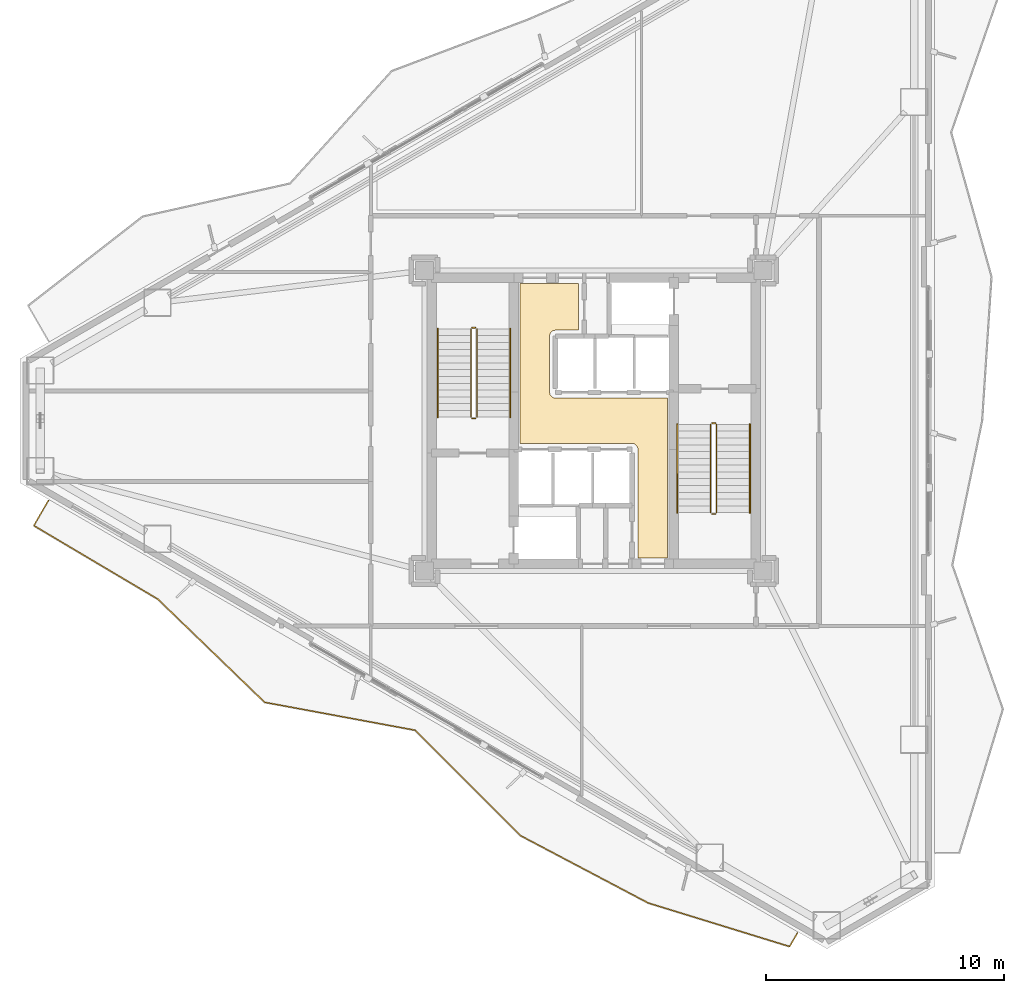
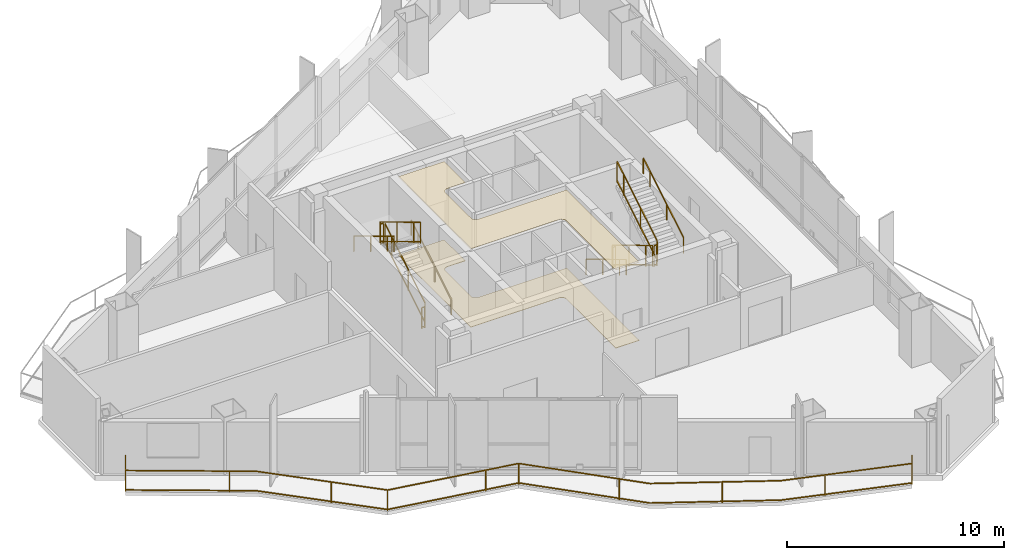
# One storey, part 19 of 20: 13 railings, 2 coverings.
"""IFC4 building model written with IfcOpenShell, lengths in metres."""

from ifc_helpers import new_model, si_unit, direction, frame, origin, origin_2d, place, context, subcontext, project, spatial, polyline, rectangle, outline, extrude, material, layer, layer_set, type_object, element, save


model = new_model("IFC4")

# Units and contexts
model_context = context("Model", 3, precision=1e-05, world=origin(), true_north=direction((0.0, 1.0)))
body_context = subcontext(model_context, "Body", "Model", "MODEL_VIEW")
ifc_project = project(units=[si_unit("LENGTHUNIT", "METRE"), si_unit("AREAUNIT", "SQUARE_METRE"), si_unit("VOLUMEUNIT", "CUBIC_METRE"), si_unit("PLANEANGLEUNIT", "RADIAN"), si_unit("MASSUNIT", "GRAM", prefix="KILO")], contexts=[model_context])

# Site, building, storey
site_placement = place(None, origin())
site = spatial("IfcSite", under=ifc_project, at=site_placement, CompositionType="ELEMENT")
building_placement = place(site_placement, origin())
building = spatial("IfcBuilding", under=site, at=building_placement, Name="Mersakhor Tower and Convention Hall", CompositionType="ELEMENT")
storey_placement = place(building_placement, frame((0.0, 0.0, 116.39990234375)))
storey = spatial("IfcBuildingStorey", under=building, at=storey_placement, Name="L32", CompositionType="ELEMENT", Elevation=116.39990234375)

# Coverings
ifc_material_1 = material(Name="Acoustic mineral-fibre suspended ceiling", Category="other")
ifc_layer_1 = layer(ifc_material_1, 0.02490234375)
ifc_layer_set_1 = layer_set([ifc_layer_1], Name="Acoustic mineral-fibre suspended ceiling")
covering_type_1 = type_object("IfcCoveringType", Name="COV-CLG-25", PredefinedType="CEILING", material=ifc_layer_set_1)
covering_1_placement = place(storey_placement, frame((0.0, 0.0, 4.400146484375)))
element("IfcCovering", 1, at=covering_1_placement, inside=storey, type_object=covering_type_1, Name="L32 Central Passenger Lift Lobby Acoustic Suspended Ceiling", PredefinedType="CEILING", context=body_context, shape_type="SweptSolid", body=[
    extrude(outline(polyline([(30.85009765625, 21.0), (30.85009765625, 25.550048828125), (30.848876953125, 25.574462890625), (30.84521484375, 25.598876953125), (30.839111328125, 25.62255859375), (30.8310546875, 25.645751953125), (30.820556640625, 25.667724609375), (30.807861328125, 25.68896484375), (30.793212890625, 25.70849609375), (30.77685546875, 25.726806640625), (30.758544921875, 25.743408203125), (30.739013671875, 25.7578125), (30.7177734375, 25.7705078125), (30.69580078125, 25.781005859375), (30.672607421875, 25.789306640625), (30.648681640625, 25.795166015625), (30.62451171875, 25.798828125), (30.60009765625, 25.800048828125), (25.89990234375, 25.800048828125), (25.89990234375, 32.5), (28.35009765625, 32.5), (28.35009765625, 30.550048828125), (27.39990234375, 30.550048828125), (27.37548828125, 30.548828125), (27.351318359375, 30.545166015625), (27.327392578125, 30.539306640625), (27.30419921875, 30.531005859375), (27.2822265625, 30.5205078125), (27.260986328125, 30.5078125), (27.241455078125, 30.493408203125), (27.22314453125, 30.476806640625), (27.206787109375, 30.45849609375), (27.192138671875, 30.43896484375), (27.179443359375, 30.417724609375), (27.1689453125, 30.395751953125), (27.160888671875, 30.37255859375), (27.15478515625, 30.348876953125), (27.151123046875, 30.324462890625), (27.14990234375, 30.300048828125), (27.14990234375, 27.949951171875), (27.151123046875, 27.925537109375), (27.15478515625, 27.901123046875), (27.160888671875, 27.87744140625), (27.1689453125, 27.854248046875), (27.179443359375, 27.832275390625), (27.192138671875, 27.81103515625), (27.206787109375, 27.79150390625), (27.22314453125, 27.773193359375), (27.241455078125, 27.756591796875), (27.260986328125, 27.7421875), (27.2822265625, 27.7294921875), (27.30419921875, 27.718994140625), (27.327392578125, 27.710693359375), (27.351318359375, 27.704833984375), (27.37548828125, 27.701171875), (27.39990234375, 27.699951171875), (32.10009765625, 27.699951171875), (32.10009765625, 21.0), (30.85009765625, 21.0)])), origin(), (0.0, 0.0, 1.0), 0.02490234375),
])
ifc_material_2 = material(Name="Polished porcelain tile flooring", Category="other")
ifc_layer_2 = layer(ifc_material_2, 0.02001953125)
ifc_layer_set_2 = layer_set([ifc_layer_2], Name="Polished porcelain tile flooring")
covering_type_2 = type_object("IfcCoveringType", Name="COV-FLR-20", PredefinedType="FLOORING", material=ifc_layer_set_2)
covering_2_placement = place(storey_placement, origin())
element("IfcCovering", 2, at=covering_2_placement, inside=storey, type_object=covering_type_2, Name="L32 Central Passenger Lift Lobby Porcelain Floor Finish", PredefinedType="FLOORING", context=body_context, shape_type="SweptSolid", body=[
    extrude(outline(polyline([(30.85009765625, 21.0), (30.85009765625, 25.550048828125), (30.848876953125, 25.574462890625), (30.84521484375, 25.598876953125), (30.839111328125, 25.62255859375), (30.8310546875, 25.645751953125), (30.820556640625, 25.667724609375), (30.807861328125, 25.68896484375), (30.793212890625, 25.70849609375), (30.77685546875, 25.726806640625), (30.758544921875, 25.743408203125), (30.739013671875, 25.7578125), (30.7177734375, 25.7705078125), (30.69580078125, 25.781005859375), (30.672607421875, 25.789306640625), (30.648681640625, 25.795166015625), (30.62451171875, 25.798828125), (30.60009765625, 25.800048828125), (25.89990234375, 25.800048828125), (25.89990234375, 32.5), (28.35009765625, 32.5), (28.35009765625, 30.550048828125), (27.39990234375, 30.550048828125), (27.37548828125, 30.548828125), (27.351318359375, 30.545166015625), (27.327392578125, 30.539306640625), (27.30419921875, 30.531005859375), (27.2822265625, 30.5205078125), (27.260986328125, 30.5078125), (27.241455078125, 30.493408203125), (27.22314453125, 30.476806640625), (27.206787109375, 30.45849609375), (27.192138671875, 30.43896484375), (27.179443359375, 30.417724609375), (27.1689453125, 30.395751953125), (27.160888671875, 30.37255859375), (27.15478515625, 30.348876953125), (27.151123046875, 30.324462890625), (27.14990234375, 30.300048828125), (27.14990234375, 27.949951171875), (27.151123046875, 27.925537109375), (27.15478515625, 27.901123046875), (27.160888671875, 27.87744140625), (27.1689453125, 27.854248046875), (27.179443359375, 27.832275390625), (27.192138671875, 27.81103515625), (27.206787109375, 27.79150390625), (27.22314453125, 27.773193359375), (27.241455078125, 27.756591796875), (27.260986328125, 27.7421875), (27.2822265625, 27.7294921875), (27.30419921875, 27.718994140625), (27.327392578125, 27.710693359375), (27.351318359375, 27.704833984375), (27.37548828125, 27.701171875), (27.39990234375, 27.699951171875), (32.10009765625, 27.699951171875), (32.10009765625, 21.0), (30.85009765625, 21.0)])), origin(), (0.0, 0.0, 1.0), 0.02001953125),
])

# Railings
ifc_material_3 = material(Name="Powder-coated galvanised steel and laminated glass balustrade", Category="steel")
railing_type_1 = type_object("IfcRailingType", Name="RL-BAL-1200", PredefinedType="BALUSTRADE", material=ifc_material_3)
railing_1_placement = place(storey_placement, frame((6.1240234375, 23.4052734375, 0.0)))
element("IfcRailing", 3, at=railing_1_placement, inside=storey, type_object=railing_type_1, Name="L32 Sinusoidal Balcony Balustrade F3", PredefinedType="BALUSTRADE", context=body_context, shape_type="SweptSolid", body=[
    extrude(rectangle(XDim=0.048095703125, YDim=0.048095703125, at=origin_2d()), frame((0.0, 0.0, 1.17578125), z_axis=(-0.499885111907, -0.866091724296, 0.0), x_axis=(0.866091724296, -0.499885111907, 0.0)), (0.0, 0.0, 1.0), 1.212646484375),
    extrude(rectangle(XDim=0.048095703125, YDim=0.048095703125, at=origin_2d()), frame((0.0, 0.0, 0.080078125), z_axis=(-0.499885111907, -0.866091724296, 0.0), x_axis=(0.866091724296, -0.499885111907, 0.0)), (0.0, 0.0, 1.0), 1.212646484375),
    extrude(rectangle(XDim=0.048095703125, YDim=0.048095703125, at=origin_2d()), frame((-0.606201171875, -1.05029296875, 1.17578125), z_axis=(0.860223972095, -0.509916383177, 0.0), x_axis=(0.509916383177, 0.860223972095, 0.0)), (0.0, 0.0, 1.0), 6.046630859375),
    extrude(rectangle(XDim=0.048095703125, YDim=0.048095703125, at=origin_2d()), frame((-0.606201171875, -1.05029296875, 0.080078125), z_axis=(0.860223972095, -0.509916383177, 0.0), x_axis=(0.509916383177, 0.860223972095, 0.0)), (0.0, 0.0, 1.0), 6.046630859375),
    extrude(rectangle(XDim=0.048095703125, YDim=0.048095703125, at=origin_2d()), frame((4.59521484375, -4.133544921875, 1.17578125), z_axis=(0.71939876015, -0.694597310601, 0.0), x_axis=(0.694597310601, 0.71939876015, 0.0)), (0.0, 0.0, 1.0), 6.231201171875),
    extrude(rectangle(XDim=0.048095703125, YDim=0.048095703125, at=origin_2d()), frame((4.59521484375, -4.133544921875, 0.080078125), z_axis=(0.71939876015, -0.694597310601, 0.0), x_axis=(0.694597310601, 0.71939876015, 0.0)), (0.0, 0.0, 1.0), 6.231201171875),
    extrude(rectangle(XDim=0.048095703125, YDim=0.048095703125, at=origin_2d()), frame((9.077880859375, -8.461669921875, 1.17578125), z_axis=(0.983201132036, -0.182525433742, 0.0), x_axis=(0.182525433742, 0.983201132036, 0.0)), (0.0, 0.0, 1.0), 6.41357421875),
    extrude(rectangle(XDim=0.048095703125, YDim=0.048095703125, at=origin_2d()), frame((9.077880859375, -8.461669921875, 0.080078125), z_axis=(0.983201132036, -0.182525433742, 0.0), x_axis=(0.182525433742, 0.983201132036, 0.0)), (0.0, 0.0, 1.0), 6.41357421875),
    extrude(rectangle(XDim=0.048095703125, YDim=0.048095703125, at=origin_2d()), frame((15.3837890625, -9.63232421875, 1.17578125), z_axis=(0.707477274839, -0.706736093309, 0.0), x_axis=(0.706736093309, 0.707477274839, 0.0)), (0.0, 0.0, 1.0), 6.258544921875),
    extrude(rectangle(XDim=0.048095703125, YDim=0.048095703125, at=origin_2d()), frame((15.3837890625, -9.63232421875, 0.080078125), z_axis=(0.707477274839, -0.706736093309, 0.0), x_axis=(0.706736093309, 0.707477274839, 0.0)), (0.0, 0.0, 1.0), 6.258544921875),
    extrude(rectangle(XDim=0.048095703125, YDim=0.048095703125, at=origin_2d()), frame((19.8115234375, -14.055419921875, 1.17578125), z_axis=(0.884575759163, -0.466396533329, 0.0), x_axis=(0.466396533329, 0.884575759163, 0.0)), (0.0, 0.0, 1.0), 6.05078125),
    extrude(rectangle(XDim=0.048095703125, YDim=0.048095703125, at=origin_2d()), frame((19.8115234375, -14.055419921875, 0.080078125), z_axis=(0.884575759163, -0.466396533329, 0.0), x_axis=(0.466396533329, 0.884575759163, 0.0)), (0.0, 0.0, 1.0), 6.05078125),
    extrude(rectangle(XDim=0.048095703125, YDim=0.048095703125, at=origin_2d()), frame((25.163818359375, -16.87744140625, 1.17578125), z_axis=(0.955681077539, -0.294403936853, 0.0), x_axis=(0.294403936853, 0.955681077539, 0.0)), (0.0, 0.0, 1.0), 6.2021484375),
    extrude(rectangle(XDim=0.048095703125, YDim=0.048095703125, at=origin_2d()), frame((25.163818359375, -16.87744140625, 0.080078125), z_axis=(0.955681077539, -0.294403936853, 0.0), x_axis=(0.294403936853, 0.955681077539, 0.0)), (0.0, 0.0, 1.0), 6.2021484375),
    extrude(rectangle(XDim=0.048095703125, YDim=0.048095703125, at=origin_2d()), frame((31.091064453125, -18.703369140625, 1.17578125), z_axis=(0.500165322679, 0.865929933649, 0.0), x_axis=(-0.865929933649, 0.500165322679, 0.0)), (0.0, 0.0, 1.0), 0.652099609375),
    extrude(rectangle(XDim=0.048095703125, YDim=0.048095703125, at=origin_2d()), frame((31.091064453125, -18.703369140625, 0.080078125), z_axis=(0.500165322679, 0.865929933649, 0.0), x_axis=(-0.865929933649, 0.500165322679, 0.0)), (0.0, 0.0, 1.0), 0.652099609375),
    extrude(rectangle(XDim=0.0419921875, YDim=0.0419921875, at=origin_2d()), origin(), (0.0, 0.0, 1.0), 1.15185546875),
    extrude(rectangle(XDim=0.0419921875, YDim=0.0419921875, at=origin_2d()), frame((-0.606201171875, -1.05029296875, 0.0)), (0.0, 0.0, 1.0), 1.15185546875),
    extrude(rectangle(XDim=0.0419921875, YDim=0.0419921875, at=origin_2d()), frame((3.52294921875, -3.497802734375, 0.0)), (0.0, 0.0, 1.0), 1.15185546875),
    extrude(rectangle(XDim=0.0419921875, YDim=0.0419921875, at=origin_2d()), frame((7.151611328125, -6.601806640625, 0.0)), (0.0, 0.0, 1.0), 1.15185546875),
    extrude(rectangle(XDim=0.0419921875, YDim=0.0419921875, at=origin_2d()), frame((9.077880859375, -8.461669921875, 0.0)), (0.0, 0.0, 1.0), 1.15185546875),
    extrude(rectangle(XDim=0.0419921875, YDim=0.0419921875, at=origin_2d()), frame((13.79736328125, -9.337890625, 0.0)), (0.0, 0.0, 1.0), 1.15185546875),
    extrude(rectangle(XDim=0.0419921875, YDim=0.0419921875, at=origin_2d()), frame((15.3837890625, -9.63232421875, 0.0)), (0.0, 0.0, 1.0), 1.15185546875),
    extrude(rectangle(XDim=0.0419921875, YDim=0.0419921875, at=origin_2d()), frame((18.77978515625, -13.024658203125, 0.0)), (0.0, 0.0, 1.0), 1.15185546875),
    extrude(rectangle(XDim=0.0419921875, YDim=0.0419921875, at=origin_2d()), frame((22.767333984375, -15.614013671875, 0.0)), (0.0, 0.0, 1.0), 1.15185546875),
    extrude(rectangle(XDim=0.0419921875, YDim=0.0419921875, at=origin_2d()), frame((27.161865234375, -17.492919921875, 0.0)), (0.0, 0.0, 1.0), 1.15185546875),
    extrude(rectangle(XDim=0.0419921875, YDim=0.0419921875, at=origin_2d()), frame((31.091064453125, -18.703369140625, 0.0)), (0.0, 0.0, 1.0), 1.15185546875),
    extrude(rectangle(XDim=0.0419921875, YDim=0.0419921875, at=origin_2d()), frame((31.417236328125, -18.138671875, 0.0)), (0.0, 0.0, 1.0), 1.15185546875),
])
ifc_material_4 = material(Name="Brushed stainless steel handrail", Category="steel")
railing_type_2 = type_object("IfcRailingType", Name="RL-HR-900", PredefinedType="HANDRAIL", material=ifc_material_4)
railing_2_placement = place(storey_placement, frame((25.5, 26.89990234375, 0.171630859375)))
element("IfcRailing", 4, at=railing_2_placement, inside=storey, type_object=railing_type_2, Name="L32 ST-1 stair handrail 1", PredefinedType="HANDRAIL", context=body_context, shape_type="SweptSolid", body=[
    extrude(rectangle(XDim=0.048095703125, YDim=0.048095703125, at=origin_2d()), frame((0.0, 0.0, 0.8759765625), z_axis=(0.0, 0.856934400257, 0.515425487977), x_axis=(-1.0, 0.0, 0.0)), (0.0, 0.0, 1.0), 4.32373046875),
    extrude(rectangle(XDim=0.0419921875, YDim=0.0419921875, at=origin_2d()), origin(), (0.0, 0.0, 1.0), 0.851806640625),
    extrude(rectangle(XDim=0.0419921875, YDim=0.0419921875, at=origin_2d()), frame((0.0, 1.54248046875, 0.927734375)), (0.0, 0.0, 1.0), 0.851806640625),
    extrude(rectangle(XDim=0.0419921875, YDim=0.0419921875, at=origin_2d()), frame((0.0, 3.0849609375, 1.85546875)), (0.0, 0.0, 1.0), 0.851806640625),
    extrude(rectangle(XDim=0.0419921875, YDim=0.0419921875, at=origin_2d()), frame((0.0, 3.705078125, 2.228515625)), (0.0, 0.0, 1.0), 0.851806640625),
])
for number, where, name in (
    (5, (22.449951171875, 30.60498046875, 2.571533203125), "L32 ST-1 stair handrail 2"),
    (6, (32.5, 26.60009765625, 0.171630859375), "L32 ST-2 stair handrail 1"),
):
    element("IfcRailing", number, at=place(storey_placement, frame(where)), inside=storey, type_object=railing_type_2, Name=name, PredefinedType="HANDRAIL", context=body_context, shape_type="SweptSolid", body=[
        extrude(rectangle(XDim=0.048095703125, YDim=0.048095703125, at=origin_2d()), frame((0.0, 0.0, 0.8759765625), z_axis=(0.0, -0.856934400257, 0.515425487977), x_axis=(1.0, 0.0, 0.0)), (0.0, 0.0, 1.0), 4.32373046875),
        extrude(rectangle(XDim=0.0419921875, YDim=0.0419921875, at=origin_2d()), origin(), (0.0, 0.0, 1.0), 0.851806640625),
        extrude(rectangle(XDim=0.0419921875, YDim=0.0419921875, at=origin_2d()), frame((0.0, -1.54248046875, 0.927734375)), (0.0, 0.0, 1.0), 0.851806640625),
        extrude(rectangle(XDim=0.0419921875, YDim=0.0419921875, at=origin_2d()), frame((0.0, -3.0849609375, 1.85546875)), (0.0, 0.0, 1.0), 0.851806640625),
        extrude(rectangle(XDim=0.0419921875, YDim=0.0419921875, at=origin_2d()), frame((0.0, -3.705078125, 2.228515625)), (0.0, 0.0, 1.0), 0.851806640625),
    ])
railing_3_placement = place(storey_placement, frame((35.550048828125, 22.89501953125, 2.571533203125)))
element("IfcRailing", 7, at=railing_3_placement, inside=storey, type_object=railing_type_2, Name="L32 ST-2 stair handrail 2", PredefinedType="HANDRAIL", context=body_context, shape_type="SweptSolid", body=[
    extrude(rectangle(XDim=0.048095703125, YDim=0.048095703125, at=origin_2d()), frame((0.0, 0.0, 0.8759765625), z_axis=(0.0, 0.856934400257, 0.515425487977), x_axis=(-1.0, 0.0, 0.0)), (0.0, 0.0, 1.0), 4.32373046875),
    extrude(rectangle(XDim=0.0419921875, YDim=0.0419921875, at=origin_2d()), origin(), (0.0, 0.0, 1.0), 0.851806640625),
    extrude(rectangle(XDim=0.0419921875, YDim=0.0419921875, at=origin_2d()), frame((0.0, 1.54248046875, 0.927734375)), (0.0, 0.0, 1.0), 0.851806640625),
    extrude(rectangle(XDim=0.0419921875, YDim=0.0419921875, at=origin_2d()), frame((0.0, 3.0849609375, 1.85546875)), (0.0, 0.0, 1.0), 0.851806640625),
    extrude(rectangle(XDim=0.0419921875, YDim=0.0419921875, at=origin_2d()), frame((0.0, 3.705078125, 2.228515625)), (0.0, 0.0, 1.0), 0.851806640625),
])
ifc_material_5 = material(Name="Painted steel stair balustrade S355", Category="steel")
railing_type_3 = type_object("IfcRailingType", Name="RL-STG-1200", PredefinedType="BALUSTRADE", material=ifc_material_5)
railing_4_placement = place(storey_placement, frame((24.10009765625, 26.89990234375, 0.171630859375)))
element("IfcRailing", 8, at=railing_4_placement, inside=storey, type_object=railing_type_3, Name="L32 ST-1 stair guard 1", PredefinedType="BALUSTRADE", context=body_context, shape_type="SweptSolid", body=[
    extrude(rectangle(XDim=0.048095703125, YDim=0.048095703125, at=origin_2d()), frame((0.0, 0.0, 1.17578125), z_axis=(0.0, 0.856934400257, 0.515425487977), x_axis=(-1.0, 0.0, 0.0)), (0.0, 0.0, 1.0), 4.32373046875),
    extrude(rectangle(XDim=0.048095703125, YDim=0.048095703125, at=origin_2d()), frame((0.0, 0.0, 0.080078125), z_axis=(0.0, 0.856934400257, 0.515425487977), x_axis=(-1.0, 0.0, 0.0)), (0.0, 0.0, 1.0), 4.32373046875),
    extrude(rectangle(XDim=0.0419921875, YDim=0.0419921875, at=origin_2d()), origin(), (0.0, 0.0, 1.0), 1.15185546875),
    extrude(rectangle(XDim=0.0419921875, YDim=0.0419921875, at=origin_2d()), frame((0.0, 1.54248046875, 0.927734375)), (0.0, 0.0, 1.0), 1.15185546875),
    extrude(rectangle(XDim=0.0419921875, YDim=0.0419921875, at=origin_2d()), frame((0.0, 3.0849609375, 1.85546875)), (0.0, 0.0, 1.0), 1.15185546875),
    extrude(rectangle(XDim=0.0419921875, YDim=0.0419921875, at=origin_2d()), frame((0.0, 3.705078125, 2.228515625)), (0.0, 0.0, 1.0), 1.15185546875),
])
railing_5_placement = place(storey_placement, frame((24.050048828125, 30.655029296875, 2.400146484375)))
element("IfcRailing", 9, at=railing_5_placement, inside=storey, type_object=railing_type_3, Name="L32 ST-1 stair guard 2", PredefinedType="BALUSTRADE", context=body_context, shape_type="SweptSolid", body=[
    extrude(rectangle(XDim=0.048095703125, YDim=0.048095703125, at=origin_2d()), frame((0.0, 0.0, 1.17578125), z_axis=(-1.0, 0.0, 0.0), x_axis=(0.0, -1.0, 0.0)), (0.0, 0.0, 1.0), 0.150146484375),
    extrude(rectangle(XDim=0.048095703125, YDim=0.048095703125, at=origin_2d()), frame((0.0, 0.0, 0.080078125), z_axis=(-1.0, 0.0, 0.0), x_axis=(0.0, -1.0, 0.0)), (0.0, 0.0, 1.0), 0.150146484375),
    extrude(rectangle(XDim=0.0419921875, YDim=0.0419921875, at=origin_2d()), origin(), (0.0, 0.0, 1.0), 1.15185546875),
    extrude(rectangle(XDim=0.0419921875, YDim=0.0419921875, at=origin_2d()), frame((-0.150146484375, 0.0, 0.0)), (0.0, 0.0, 1.0), 1.15185546875),
])
railing_6_placement = place(storey_placement, frame((23.85009765625, 30.60498046875, 2.571533203125)))
element("IfcRailing", 10, at=railing_6_placement, inside=storey, type_object=railing_type_3, Name="L32 ST-1 stair guard 3", PredefinedType="BALUSTRADE", context=body_context, shape_type="SweptSolid", body=[
    extrude(rectangle(XDim=0.048095703125, YDim=0.048095703125, at=origin_2d()), frame((0.0, 0.0, 1.17578125), z_axis=(0.0, -0.856934400257, 0.515425487977), x_axis=(1.0, 0.0, 0.0)), (0.0, 0.0, 1.0), 4.32373046875),
    extrude(rectangle(XDim=0.048095703125, YDim=0.048095703125, at=origin_2d()), frame((0.0, 0.0, 0.080078125), z_axis=(0.0, -0.856934400257, 0.515425487977), x_axis=(1.0, 0.0, 0.0)), (0.0, 0.0, 1.0), 4.32373046875),
    extrude(rectangle(XDim=0.0419921875, YDim=0.0419921875, at=origin_2d()), origin(), (0.0, 0.0, 1.0), 1.15185546875),
    extrude(rectangle(XDim=0.0419921875, YDim=0.0419921875, at=origin_2d()), frame((0.0, -1.54248046875, 0.927734375)), (0.0, 0.0, 1.0), 1.15185546875),
    extrude(rectangle(XDim=0.0419921875, YDim=0.0419921875, at=origin_2d()), frame((0.0, -3.0849609375, 1.85546875)), (0.0, 0.0, 1.0), 1.15185546875),
    extrude(rectangle(XDim=0.0419921875, YDim=0.0419921875, at=origin_2d()), frame((0.0, -3.705078125, 2.228515625)), (0.0, 0.0, 1.0), 1.15185546875),
])
railing_7_placement = place(storey_placement, frame((24.050048828125, 26.85009765625, 0.0)))
element("IfcRailing", 11, at=railing_7_placement, inside=storey, type_object=railing_type_3, Name="L32 ST-1 stair guard 4", PredefinedType="BALUSTRADE", context=body_context, shape_type="SweptSolid", body=[
    extrude(rectangle(XDim=0.048095703125, YDim=0.048095703125, at=origin_2d()), frame((0.0, 0.0, 1.17578125), z_axis=(-1.0, 0.0, 0.0), x_axis=(0.0, -1.0, 0.0)), (0.0, 0.0, 1.0), 0.150146484375),
    extrude(rectangle(XDim=0.048095703125, YDim=0.048095703125, at=origin_2d()), frame((0.0, 0.0, 0.080078125), z_axis=(-1.0, 0.0, 0.0), x_axis=(0.0, -1.0, 0.0)), (0.0, 0.0, 1.0), 0.150146484375),
    extrude(rectangle(XDim=0.0419921875, YDim=0.0419921875, at=origin_2d()), origin(), (0.0, 0.0, 1.0), 1.15185546875),
    extrude(rectangle(XDim=0.0419921875, YDim=0.0419921875, at=origin_2d()), frame((-0.150146484375, 0.0, 0.0)), (0.0, 0.0, 1.0), 1.15185546875),
])
railing_8_placement = place(storey_placement, frame((33.89990234375, 26.60009765625, 0.171630859375)))
element("IfcRailing", 12, at=railing_8_placement, inside=storey, type_object=railing_type_3, Name="L32 ST-2 stair guard 1", PredefinedType="BALUSTRADE", context=body_context, shape_type="SweptSolid", body=[
    extrude(rectangle(XDim=0.048095703125, YDim=0.048095703125, at=origin_2d()), frame((0.0, 0.0, 1.17578125), z_axis=(0.0, -0.856934400257, 0.515425487977), x_axis=(1.0, 0.0, 0.0)), (0.0, 0.0, 1.0), 4.32373046875),
    extrude(rectangle(XDim=0.048095703125, YDim=0.048095703125, at=origin_2d()), frame((0.0, 0.0, 0.080078125), z_axis=(0.0, -0.856934400257, 0.515425487977), x_axis=(1.0, 0.0, 0.0)), (0.0, 0.0, 1.0), 4.32373046875),
    extrude(rectangle(XDim=0.0419921875, YDim=0.0419921875, at=origin_2d()), origin(), (0.0, 0.0, 1.0), 1.15185546875),
    extrude(rectangle(XDim=0.0419921875, YDim=0.0419921875, at=origin_2d()), frame((0.0, -1.54248046875, 0.927734375)), (0.0, 0.0, 1.0), 1.15185546875),
    extrude(rectangle(XDim=0.0419921875, YDim=0.0419921875, at=origin_2d()), frame((0.0, -3.0849609375, 1.85546875)), (0.0, 0.0, 1.0), 1.15185546875),
    extrude(rectangle(XDim=0.0419921875, YDim=0.0419921875, at=origin_2d()), frame((0.0, -3.705078125, 2.228515625)), (0.0, 0.0, 1.0), 1.15185546875),
])
railing_9_placement = place(storey_placement, frame((33.949951171875, 22.844970703125, 2.400146484375)))
element("IfcRailing", 13, at=railing_9_placement, inside=storey, type_object=railing_type_3, Name="L32 ST-2 stair guard 2", PredefinedType="BALUSTRADE", context=body_context, shape_type="SweptSolid", body=[
    extrude(rectangle(XDim=0.048095703125, YDim=0.048095703125, at=origin_2d()), frame((0.0, 0.0, 1.17578125), z_axis=(1.0, 0.0, 0.0), x_axis=(0.0, 1.0, 0.0)), (0.0, 0.0, 1.0), 0.150146484375),
    extrude(rectangle(XDim=0.048095703125, YDim=0.048095703125, at=origin_2d()), frame((0.0, 0.0, 0.080078125), z_axis=(1.0, 0.0, 0.0), x_axis=(0.0, 1.0, 0.0)), (0.0, 0.0, 1.0), 0.150146484375),
    extrude(rectangle(XDim=0.0419921875, YDim=0.0419921875, at=origin_2d()), origin(), (0.0, 0.0, 1.0), 1.15185546875),
    extrude(rectangle(XDim=0.0419921875, YDim=0.0419921875, at=origin_2d()), frame((0.150146484375, 0.0, 0.0)), (0.0, 0.0, 1.0), 1.15185546875),
])
railing_10_placement = place(storey_placement, frame((34.14990234375, 22.89501953125, 2.571533203125)))
element("IfcRailing", 14, at=railing_10_placement, inside=storey, type_object=railing_type_3, Name="L32 ST-2 stair guard 3", PredefinedType="BALUSTRADE", context=body_context, shape_type="SweptSolid", body=[
    extrude(rectangle(XDim=0.048095703125, YDim=0.048095703125, at=origin_2d()), frame((0.0, 0.0, 1.17578125), z_axis=(0.0, 0.856934400257, 0.515425487977), x_axis=(-1.0, 0.0, 0.0)), (0.0, 0.0, 1.0), 4.32373046875),
    extrude(rectangle(XDim=0.048095703125, YDim=0.048095703125, at=origin_2d()), frame((0.0, 0.0, 0.080078125), z_axis=(0.0, 0.856934400257, 0.515425487977), x_axis=(-1.0, 0.0, 0.0)), (0.0, 0.0, 1.0), 4.32373046875),
    extrude(rectangle(XDim=0.0419921875, YDim=0.0419921875, at=origin_2d()), origin(), (0.0, 0.0, 1.0), 1.15185546875),
    extrude(rectangle(XDim=0.0419921875, YDim=0.0419921875, at=origin_2d()), frame((0.0, 1.54248046875, 0.927734375)), (0.0, 0.0, 1.0), 1.15185546875),
    extrude(rectangle(XDim=0.0419921875, YDim=0.0419921875, at=origin_2d()), frame((0.0, 3.0849609375, 1.85546875)), (0.0, 0.0, 1.0), 1.15185546875),
    extrude(rectangle(XDim=0.0419921875, YDim=0.0419921875, at=origin_2d()), frame((0.0, 3.705078125, 2.228515625)), (0.0, 0.0, 1.0), 1.15185546875),
])
railing_11_placement = place(storey_placement, frame((33.949951171875, 26.64990234375, 0.0)))
element("IfcRailing", 15, at=railing_11_placement, inside=storey, type_object=railing_type_3, Name="L32 ST-2 stair guard 4", PredefinedType="BALUSTRADE", context=body_context, shape_type="SweptSolid", body=[
    extrude(rectangle(XDim=0.048095703125, YDim=0.048095703125, at=origin_2d()), frame((0.0, 0.0, 1.17578125), z_axis=(1.0, 0.0, 0.0), x_axis=(0.0, 1.0, 0.0)), (0.0, 0.0, 1.0), 0.150146484375),
    extrude(rectangle(XDim=0.048095703125, YDim=0.048095703125, at=origin_2d()), frame((0.0, 0.0, 0.080078125), z_axis=(1.0, 0.0, 0.0), x_axis=(0.0, 1.0, 0.0)), (0.0, 0.0, 1.0), 0.150146484375),
    extrude(rectangle(XDim=0.0419921875, YDim=0.0419921875, at=origin_2d()), origin(), (0.0, 0.0, 1.0), 1.15185546875),
    extrude(rectangle(XDim=0.0419921875, YDim=0.0419921875, at=origin_2d()), frame((0.150146484375, 0.0, 0.0)), (0.0, 0.0, 1.0), 1.15185546875),
])

save(model, "model.ifc")
